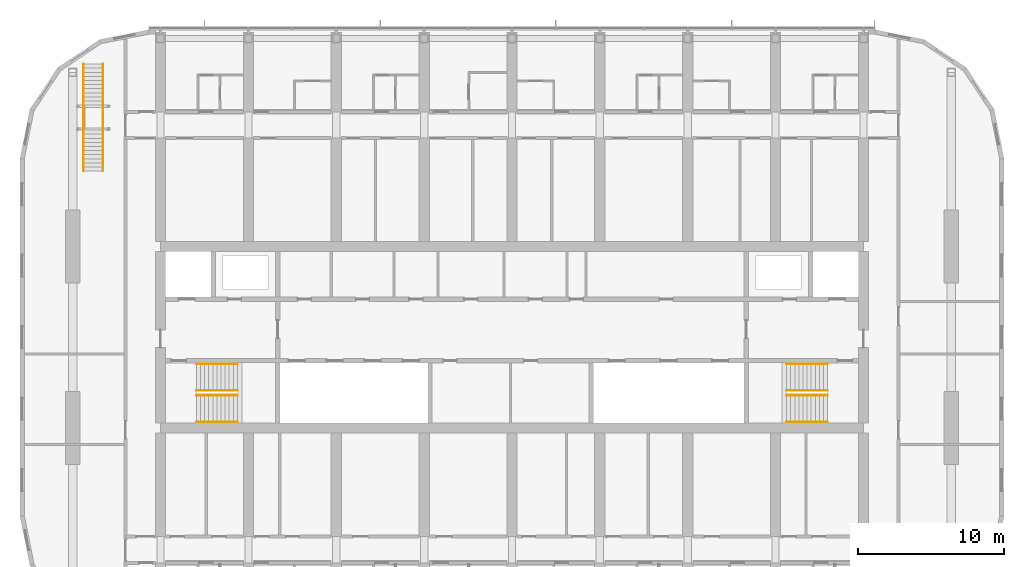
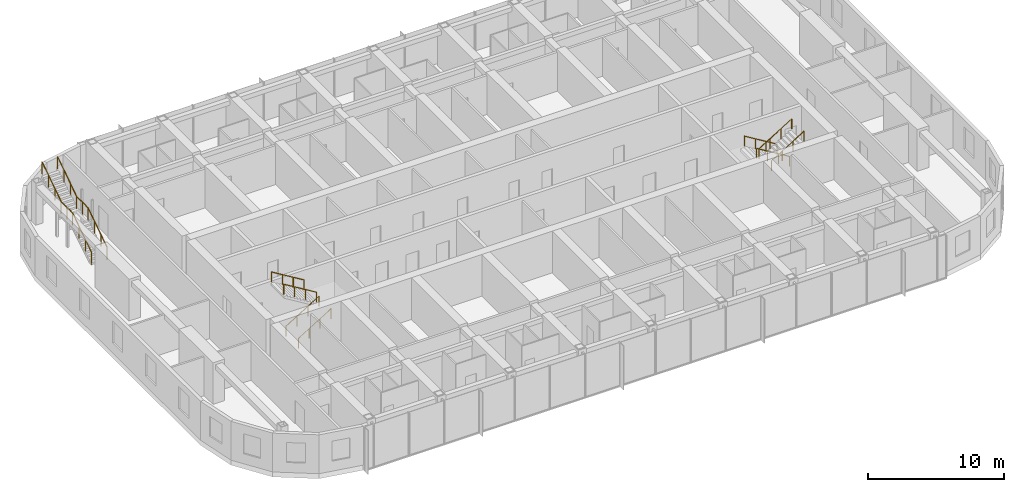
# One storey, part 26 of 26: 10 railings.
"""IFC4 building model written with IfcOpenShell, lengths in metres."""

import ifcopenshell
import ifcopenshell.guid

model = None  # the IFC model being written
_history = None  # IfcOwnerHistory: only IFC2X3 demands one
_inside = {}  # id of a spatial element -> (the spatial element, [elements in it])
_under = {}  # id of a project, library or spatial element -> (it, [spatial elements below it])
_declared = {}  # id of a project -> (the project, [libraries it declares])
_typed = {}  # id of a type object -> (the type object, [elements of that type])
_made_of = {}  # id of a material, layer set ... -> (it, [elements and type objects made of it])


def new_model(schema):
    """Start an empty IFC model of exactly this schema.

    Asked for "IFC4X3", IfcOpenShell would pick the latest addendum, in which some entities
    have other attributes; the version numbers below select the first issue.
    IFC2X3 requires an IfcOwnerHistory on every rooted entity: one is made here for all.
    """
    global model, _history
    if schema == "IFC4X3":
        model = ifcopenshell.file(schema_version=(4, 3, 0, 0))
    else:
        model = ifcopenshell.file(schema=schema)
    _inside.clear()
    _under.clear()
    _declared.clear()
    _typed.clear()
    _made_of.clear()
    _history = None
    if model.schema == "IFC2X3":
        org = make("IfcOrganization", Name="unknown")
        user = make(
            "IfcPersonAndOrganization",
            ThePerson=make("IfcPerson", FamilyName="unknown"),
            TheOrganization=org,
        )
        app = make(
            "IfcApplication",
            ApplicationDeveloper=org,
            Version="unknown",
            ApplicationFullName="unknown",
            ApplicationIdentifier="unknown",
        )
        _history = make(
            "IfcOwnerHistory",
            OwningUser=user,
            OwningApplication=app,
            ChangeAction="ADDED",
            CreationDate=0,
        )
    return model


def make(cls, **values):
    """One entity of the class cls with the attributes given. An attribute that is None is left unset."""
    return model.create_entity(
        cls, **{name: value for name, value in values.items() if value is not None}
    )


def rooted(cls, **values):
    """An entity with a GlobalId (a new one), such as an element, a storey or a relation."""
    return make(cls, GlobalId=ifcopenshell.guid.new(), OwnerHistory=_history, **values)


def si_unit(unit_type, name, prefix=None):
    """IfcSIUnit, for example si_unit("LENGTHUNIT", "METRE", prefix="MILLI")."""
    return make("IfcSIUnit", UnitType=unit_type, Prefix=prefix, Name=name)


def assignment(units):
    """IfcUnitAssignment: the units of a project."""
    return None if units is None else make("IfcUnitAssignment", Units=units)


def point(xyz):
    """IfcCartesianPoint."""
    return None if xyz is None else make("IfcCartesianPoint", Coordinates=xyz)


def direction(xyz):
    """IfcDirection."""
    return None if xyz is None else make("IfcDirection", DirectionRatios=xyz)


def frame(location, z_axis=None, x_axis=None):
    """IfcAxis2Placement3D, a coordinate frame: its origin and axes. An axis left out is left unset."""
    return make(
        "IfcAxis2Placement3D",
        Location=point(location),
        Axis=direction(z_axis),
        RefDirection=direction(x_axis),
    )


def frame_2d(location, x_axis=None):
    """IfcAxis2Placement2D, a coordinate frame in the plane: its origin and x axis."""
    return make(
        "IfcAxis2Placement2D", Location=point(location), RefDirection=direction(x_axis)
    )


def origin():
    """The frame at (0, 0, 0) with its axes left unset."""
    return frame((0.0, 0.0, 0.0))


def origin_2d():
    """The frame at (0, 0) in the plane with its x axis left unset."""
    return frame_2d((0.0, 0.0))


def place(relative_to, where):
    """IfcLocalPlacement: puts the frame where relative to a parent placement (None: the world)."""
    return make(
        "IfcLocalPlacement", PlacementRelTo=relative_to, RelativePlacement=where
    )


def context(
    kind, dimensions, precision=None, world=None, true_north=None, identifier=None
):
    """IfcGeometricRepresentationContext, for example the 3D "Model" context."""
    return make(
        "IfcGeometricRepresentationContext",
        ContextIdentifier=identifier,
        ContextType=kind,
        CoordinateSpaceDimension=dimensions,
        Precision=precision,
        WorldCoordinateSystem=world,
        TrueNorth=true_north,
    )


def subcontext(parent, identifier, kind, view, scale=None):
    """IfcGeometricRepresentationSubContext, for example "Body" below "Model"."""
    return make(
        "IfcGeometricRepresentationSubContext",
        ContextIdentifier=identifier,
        ContextType=kind,
        ParentContext=parent,
        TargetScale=scale,
        TargetView=view,
    )


def project(units=None, contexts=None):
    """IfcProject with its units and contexts."""
    return rooted(
        "IfcProject",
        Name="project",
        RepresentationContexts=contexts,
        UnitsInContext=assignment(units),
    )


def spatial(cls, under=None, at=None, **own):
    """A site, building, storey or space (cls), placed at a placement, below another one or the project."""
    s = rooted(cls, ObjectPlacement=at, **own)
    if under is not None:
        _under.setdefault(under.id(), (under, []))[1].append(s)
    return s


def profile(cls, at=None, kind="AREA", **sizes):
    """A parametric profile (cls). Its sizes go by their IFC names, for example OverallWidth=200.0."""
    return make(cls, ProfileType=kind, Position=at, **sizes)


def circle(**sizes):
    """IfcCircleProfileDef."""
    return profile("IfcCircleProfileDef", **sizes)


def extrude(swept, where, along, depth):
    """IfcExtrudedAreaSolid: the profile swept, set in the frame where, extruded along a direction by depth."""
    return make(
        "IfcExtrudedAreaSolid",
        SweptArea=swept,
        Position=where,
        ExtrudedDirection=direction(along),
        Depth=depth,
    )


def shape(context_of_items, identifier, shape_type, items):
    """IfcShapeRepresentation: the items that make up one representation, for example the "Body"."""
    return make(
        "IfcShapeRepresentation",
        ContextOfItems=context_of_items,
        RepresentationIdentifier=identifier,
        RepresentationType=shape_type,
        Items=items,
    )


def material(Name=None, Category=None):
    """IfcMaterial."""
    return make("IfcMaterial", Name=Name, Category=Category)


def made_of(thing, what):
    """Note that an element or type object is made of a material, layer set ...; save() writes the relation."""
    if what is not None:
        _made_of.setdefault(what.id(), (what, []))[1].append(thing)
    return thing


def type_object(cls, material=None, **own):
    """A type object (cls), such as IfcWallType, which elements share."""
    return made_of(rooted(cls, **own), material)


def element(
    cls,
    number,
    at=None,
    inside=None,
    cuts=None,
    type_object=None,
    material=None,
    context=None,
    identifier="Body",
    shape_type=None,
    held_by="IfcProductDefinitionShape",
    body=None,
    shapes=None,
    **own,
):
    """One element of the class cls, such as IfcWall. Its Tag is "e" and its number.

    at: its placement. inside: the storey or other place that contains it. cuts: it is an
    opening in that element (IfcRelVoidsElement). A single representation is given by context,
    identifier, shape_type and body (its items); several are given by shapes. held_by: the class
    of the entity that holds the representations. save() writes the other relations.
    """
    e = rooted(cls, Tag="e%d" % number, ObjectPlacement=at, **own)
    if body is not None:
        shapes = [shape(context, identifier, shape_type, body)]
    if shapes is not None:
        e.Representation = make(held_by, Representations=shapes)
    if inside is not None:
        _inside.setdefault(inside.id(), (inside, []))[1].append(e)
    if cuts is not None:
        rooted(
            "IfcRelVoidsElement", RelatingBuildingElement=cuts, RelatedOpeningElement=e
        )
    if type_object is not None:
        _typed.setdefault(type_object.id(), (type_object, []))[1].append(e)
    return made_of(e, material)


def aggregate(whole, parts):
    """IfcRelAggregates: a whole, such as a stair, and the parts it consists of."""
    return rooted("IfcRelAggregates", RelatingObject=whole, RelatedObjects=parts)


def save(model, path):
    """Write the relations noted so far, then the file.

    IfcRelAggregates (storeys below a building ...), IfcRelContainedInSpatialStructure (elements
    in a storey), IfcRelDefinesByType, IfcRelAssociatesMaterial and IfcRelDeclares: one each for
    every whole, place, type object, material and project.
    """
    for whole, parts in _under.values():
        aggregate(whole, parts)
    for where, things in _inside.values():
        rooted(
            "IfcRelContainedInSpatialStructure",
            RelatedElements=things,
            RelatingStructure=where,
        )
    for kind, things in _typed.values():
        rooted("IfcRelDefinesByType", RelatedObjects=things, RelatingType=kind)
    for what, things in _made_of.values():
        rooted("IfcRelAssociatesMaterial", RelatedObjects=things, RelatingMaterial=what)
    for by, libraries in _declared.values():
        rooted("IfcRelDeclares", RelatingContext=by, RelatedDefinitions=libraries)
    model.write(path)


model = new_model("IFC4")

# Units and contexts
model_context = context("Model", 3, precision=1e-05, world=origin(), true_north=direction((0.0, 1.0)))
body_context = subcontext(model_context, "Body", "Model", "MODEL_VIEW")
ifc_project = project(units=[si_unit("LENGTHUNIT", "METRE"), si_unit("AREAUNIT", "SQUARE_METRE"), si_unit("VOLUMEUNIT", "CUBIC_METRE"), si_unit("PLANEANGLEUNIT", "RADIAN"), si_unit("MASSUNIT", "GRAM", prefix="KILO")], contexts=[model_context])

# Site, building, storey
site_placement = place(None, origin())
site = spatial("IfcSite", under=ifc_project, at=site_placement, CompositionType="ELEMENT")
building_placement = place(site_placement, origin())
building = spatial("IfcBuilding", under=site, at=building_placement, Name="Orbita Commons", CompositionType="ELEMENT")
storey_placement = place(building_placement, frame((0.0, 0.0, 231.550048828125)))
storey = spatial("IfcBuildingStorey", under=building, at=storey_placement, Name="L57", CompositionType="ELEMENT", Elevation=231.550048828125)

# Railings
ifc_material_1 = material(Name="Laminated glass, steel handrail", Category="steel")
railing_type_1 = type_object("IfcRailingType", Name="Feature stair balustrade, glass on steel stringer 1100", PredefinedType="BALUSTRADE", material=ifc_material_1)
for number, where, name in (
    (1, (12.739990234375, 43.35009765625, 0.0), "Neighbourhood stair L57 to L58 balustrade L"),
    (2, (14.06005859375, 43.35009765625, 0.0), "Neighbourhood stair L57 to L58 balustrade R"),
):
    element("IfcRailing", number, at=place(storey_placement, frame(where)), inside=storey, type_object=railing_type_1, Name=name, PredefinedType="BALUSTRADE", context=body_context, shape_type="SweptSolid", body=[
        extrude(circle(Radius=0.02490234375, at=origin_2d()), frame((0.0, 0.0, 1.0751953125), z_axis=(0.0, 0.830889231813, 0.556437853185), x_axis=(-1.0, 0.0, 0.0)), (0.0, 0.0, 1.0), 3.36962890625),
        extrude(circle(Radius=0.02490234375, at=origin_2d()), frame((0.0, 2.7998046875, 2.9501953125), z_axis=(0.0, 1.0, 0.0), x_axis=(-1.0, 0.0, 0.0)), (0.0, 0.0, 1.0), 1.710205078125),
        extrude(circle(Radius=0.02490234375, at=origin_2d()), frame((0.0, 4.510009765625, 2.9501953125), z_axis=(0.0, 0.830889231813, 0.556437853185), x_axis=(-1.0, 0.0, 0.0)), (0.0, 0.0, 1.0), 3.36962890625),
        extrude(circle(Radius=0.02001953125, at=origin_2d()), origin(), (0.0, 0.0, 1.0), 1.050048828125),
        extrude(circle(Radius=0.02001953125, at=origin_2d()), frame((0.0, 0.933349609375, 0.625)), (0.0, 0.0, 1.0), 1.050048828125),
        extrude(circle(Radius=0.02001953125, at=origin_2d()), frame((0.0, 1.866455078125, 1.25)), (0.0, 0.0, 1.0), 1.050048828125),
        extrude(circle(Radius=0.02001953125, at=origin_2d()), frame((0.0, 2.7998046875, 1.875)), (0.0, 0.0, 1.0), 1.050048828125),
        extrude(circle(Radius=0.02001953125, at=origin_2d()), frame((0.0, 3.65478515625, 1.875)), (0.0, 0.0, 1.0), 1.050048828125),
        extrude(circle(Radius=0.02001953125, at=origin_2d()), frame((0.0, 4.510009765625, 1.875)), (0.0, 0.0, 1.0), 1.050048828125),
        extrude(circle(Radius=0.02001953125, at=origin_2d()), frame((0.0, 5.443359375, 2.5)), (0.0, 0.0, 1.0), 1.050048828125),
        extrude(circle(Radius=0.02001953125, at=origin_2d()), frame((0.0, 6.37646484375, 3.125)), (0.0, 0.0, 1.0), 1.050048828125),
        extrude(circle(Radius=0.02001953125, at=origin_2d()), frame((0.0, 7.309814453125, 3.75)), (0.0, 0.0, 1.0), 1.050048828125),
    ])
ifc_material_2 = material(Name="Steel tube, painted", Category="steel")
railing_type_2 = type_object("IfcRailingType", Name="Stair handrail steel tube 900", PredefinedType="HANDRAIL", material=ifc_material_2)
for number, where, name in (
    (3, (20.449951171875, 28.0400390625, 0.17041015625), "Stair S1 handrail L57 flight 1"),
    (4, (20.449951171875, 26.2099609375, 0.17041015625), "Stair S1 handrail L57 flight 1"),
):
    element("IfcRailing", number, at=place(storey_placement, frame(where)), inside=storey, type_object=railing_type_2, Name=name, PredefinedType="HANDRAIL", context=body_context, shape_type="SweptSolid", body=[
        extrude(circle(Radius=0.02099609375, at=origin_2d()), frame((0.0, 0.0, 0.87890625), z_axis=(0.854169791009, 0.0, 0.51999420009), x_axis=(0.0, 1.0, 0.0)), (0.0, 0.0, 1.0), 3.278076171875),
        extrude(circle(Radius=0.02001953125, at=origin_2d()), origin(), (0.0, 0.0, 1.0), 0.85791015625),
        extrude(circle(Radius=0.02001953125, at=origin_2d()), frame((0.933349609375, 0.0, 0.568115234375)), (0.0, 0.0, 1.0), 0.85791015625),
        extrude(circle(Radius=0.02001953125, at=origin_2d()), frame((1.86669921875, 0.0, 1.136474609375)), (0.0, 0.0, 1.0), 0.85791015625),
        extrude(circle(Radius=0.02001953125, at=origin_2d()), frame((2.800048828125, 0.0, 1.70458984375)), (0.0, 0.0, 1.0), 0.85791015625),
    ])
for number, where, name in (
    (5, (23.25, 28.360107421875, 2.04541015625), "Stair S1 handrail L57 flight 2"),
    (6, (23.25, 30.18994140625, 2.04541015625), "Stair S1 handrail L57 flight 2"),
    (7, (63.550048828125, 28.360107421875, 0.17041015625), "Stair S2 handrail L57 flight 1"),
    (8, (63.550048828125, 30.18994140625, 0.17041015625), "Stair S2 handrail L57 flight 1"),
):
    element("IfcRailing", number, at=place(storey_placement, frame(where)), inside=storey, type_object=railing_type_2, Name=name, PredefinedType="HANDRAIL", context=body_context, shape_type="SweptSolid", body=[
        extrude(circle(Radius=0.02099609375, at=origin_2d()), frame((0.0, 0.0, 0.87890625), z_axis=(-0.854169791009, 0.0, 0.51999420009), x_axis=(0.0, -1.0, 0.0)), (0.0, 0.0, 1.0), 3.278076171875),
        extrude(circle(Radius=0.02001953125, at=origin_2d()), origin(), (0.0, 0.0, 1.0), 0.85791015625),
        extrude(circle(Radius=0.02001953125, at=origin_2d()), frame((-0.933349609375, 0.0, 0.568115234375)), (0.0, 0.0, 1.0), 0.85791015625),
        extrude(circle(Radius=0.02001953125, at=origin_2d()), frame((-1.86669921875, 0.0, 1.136474609375)), (0.0, 0.0, 1.0), 0.85791015625),
        extrude(circle(Radius=0.02001953125, at=origin_2d()), frame((-2.800048828125, 0.0, 1.70458984375)), (0.0, 0.0, 1.0), 0.85791015625),
    ])
for number, where, name in (
    (9, (60.75, 28.0400390625, 2.04541015625), "Stair S2 handrail L57 flight 2"),
    (10, (60.75, 26.2099609375, 2.04541015625), "Stair S2 handrail L57 flight 2"),
):
    element("IfcRailing", number, at=place(storey_placement, frame(where)), inside=storey, type_object=railing_type_2, Name=name, PredefinedType="HANDRAIL", context=body_context, shape_type="SweptSolid", body=[
        extrude(circle(Radius=0.02099609375, at=origin_2d()), frame((0.0, 0.0, 0.87890625), z_axis=(0.854169791009, 0.0, 0.51999420009), x_axis=(0.0, 1.0, 0.0)), (0.0, 0.0, 1.0), 3.278076171875),
        extrude(circle(Radius=0.02001953125, at=origin_2d()), origin(), (0.0, 0.0, 1.0), 0.85791015625),
        extrude(circle(Radius=0.02001953125, at=origin_2d()), frame((0.933349609375, 0.0, 0.568115234375)), (0.0, 0.0, 1.0), 0.85791015625),
        extrude(circle(Radius=0.02001953125, at=origin_2d()), frame((1.86669921875, 0.0, 1.136474609375)), (0.0, 0.0, 1.0), 0.85791015625),
        extrude(circle(Radius=0.02001953125, at=origin_2d()), frame((2.800048828125, 0.0, 1.70458984375)), (0.0, 0.0, 1.0), 0.85791015625),
    ])

save(model, "model.ifc")
